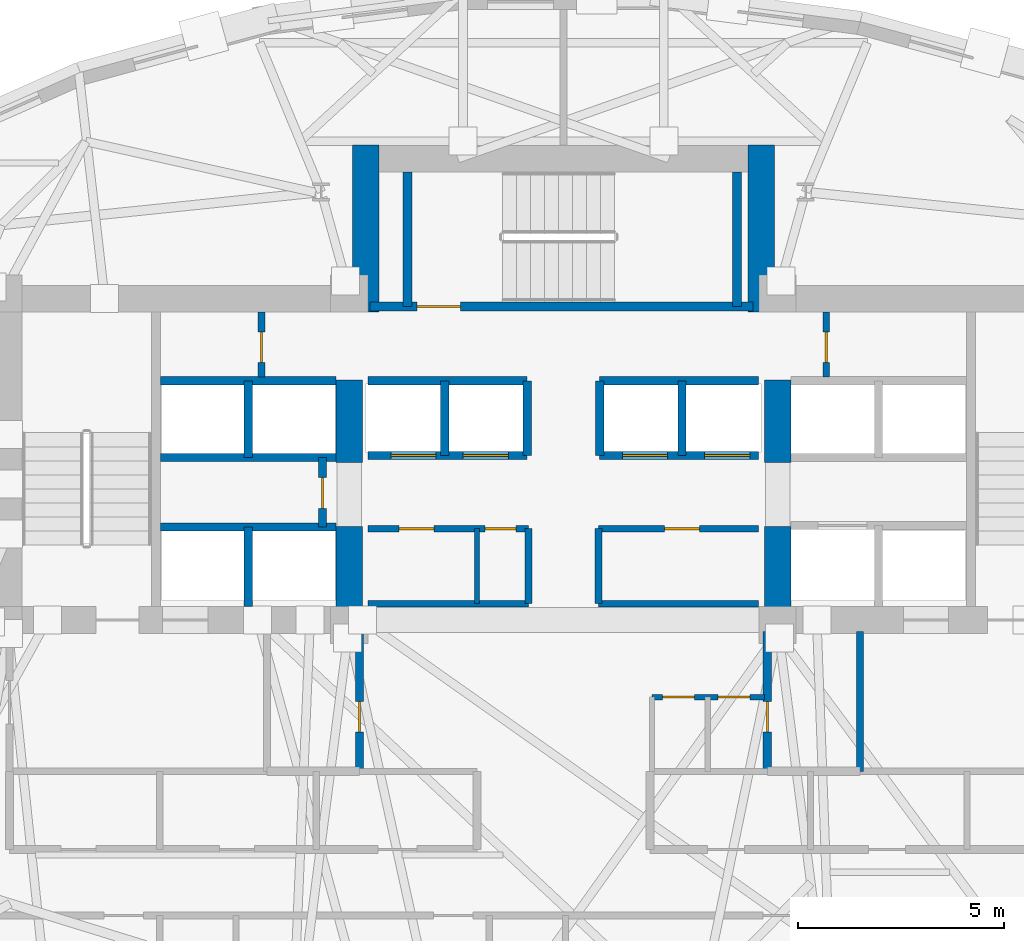
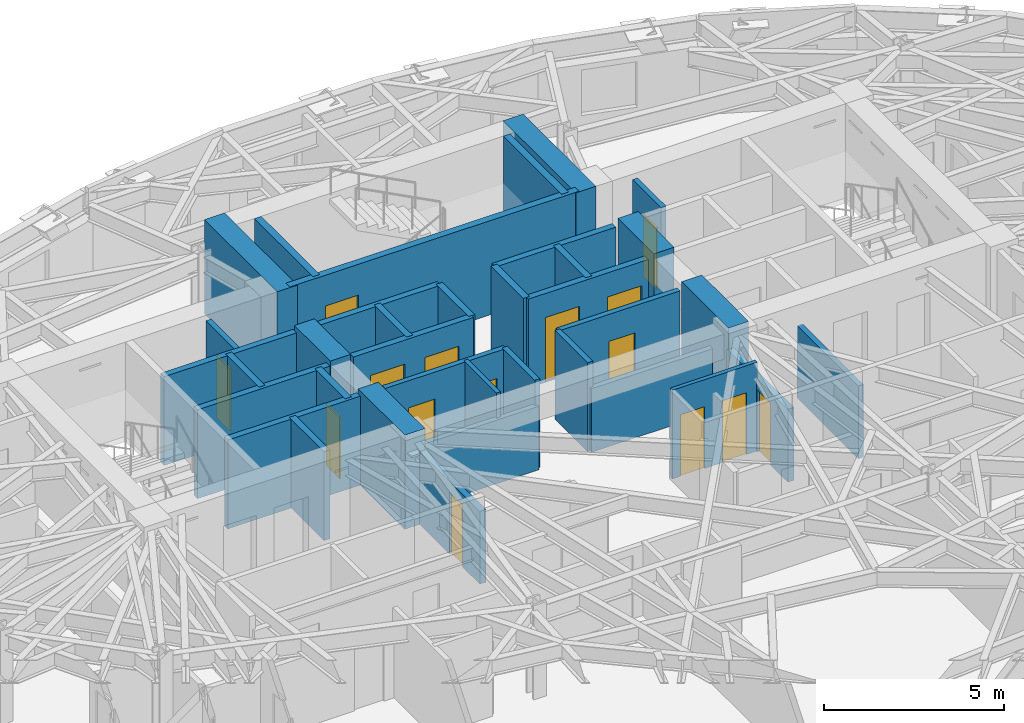
# One storey, part 8 of 15: 36 walls, 15 doors, 15 openings.
"""IFC4 building model written with IfcOpenShell, lengths in metres."""

from ifc_helpers import new_model, si_unit, direction, frame, frame_2d, origin, place, context, subcontext, project, spatial, rectangle, extrude, material, layer, layer_set, type_object, element, fill, save


model = new_model("IFC4")

# Units and contexts
model_context = context("Model", 3, precision=1e-05, world=origin(), true_north=direction((0.0, 1.0)))
body_context = subcontext(model_context, "Body", "Model", "MODEL_VIEW")
ifc_project = project(units=[si_unit("LENGTHUNIT", "METRE"), si_unit("AREAUNIT", "SQUARE_METRE"), si_unit("VOLUMEUNIT", "CUBIC_METRE"), si_unit("PLANEANGLEUNIT", "RADIAN"), si_unit("MASSUNIT", "GRAM", prefix="KILO")], contexts=[model_context])

# Site, building, storey
site_placement = place(None, origin())
site = spatial("IfcSite", under=ifc_project, at=site_placement, CompositionType="ELEMENT")
building_placement = place(site_placement, origin())
building = spatial("IfcBuilding", under=site, at=building_placement, Name="Keldmark Tower", CompositionType="ELEMENT")
storey_placement = place(building_placement, frame((0.0, 0.0, 166.199951171875)))
storey = spatial("IfcBuildingStorey", under=building, at=storey_placement, Name="L45", CompositionType="ELEMENT", Elevation=166.199951171875)

# Wall, openings, doors
ifc_material_1 = material(Name="Acoustic Gypsum Board Interior Partition", Category="gypsum")
ifc_layer_1 = layer(ifc_material_1, 0.1298828125)
ifc_layer_set_1 = layer_set([ifc_layer_1], Name="Acoustic Gypsum Board Interior Partition")
wall_type_1 = type_object("IfcWallType", Name="Interior Partition 130 mm", PredefinedType="PARTITIONING", material=ifc_layer_set_1)
wall_1_placement = place(storey_placement, frame((2.14990234375, -0.35009765625, 0.0), z_axis=(0.0, 0.0, 1.0), x_axis=(1.0, 0.0, 0.0)))
wall_1 = element("IfcWall", 1, at=wall_1_placement, inside=storey, type_object=wall_type_1, Name="L45 Interior Partition 130 mm CSC-E-N", PredefinedType="PARTITIONING", context=body_context, shape_type="SweptSolid", body=[
    extrude(rectangle(XDim=2.72998046875, YDim=0.1298828125, at=frame_2d((1.364990234375, 0.0))), origin(), (0.0, 0.0, 1.0), 3.02001953125),
])
opening_1_placement = place(wall_1_placement, frame((0.25, 0.0, 0.0)))
opening_1 = element("IfcOpeningElement", 2, at=opening_1_placement, cuts=wall_1, Name="Opening D-CL078", PredefinedType="OPENING", context=body_context, shape_type="SweptSolid", body=[
    extrude(rectangle(XDim=0.780029296875, YDim=2.10009765625, at=frame_2d((0.39013671875, 1.050048828125))), frame((0.0, 0.074951171875, 0.0), z_axis=(0.0, -1.0, 0.0), x_axis=(1.0, 0.0, 0.0)), (0.0, 0.0, 1.0), 0.14990234375),
])
opening_2_placement = place(wall_1_placement, frame((1.60009765625, 0.0, 0.0)))
opening_2 = element("IfcOpeningElement", 3, at=opening_2_placement, cuts=wall_1, Name="Opening D-CL078", PredefinedType="OPENING", context=body_context, shape_type="SweptSolid", body=[
    extrude(rectangle(XDim=0.780029296875, YDim=2.10009765625, at=frame_2d((0.39013671875, 1.050048828125))), frame((0.0, 0.074951171875, 0.0), z_axis=(0.0, -1.0, 0.0), x_axis=(1.0, 0.0, 0.0)), (0.0, 0.0, 1.0), 0.14990234375),
])
ifc_material_2 = material(Name="Flush Utility Closet Timber Door", Category="wood")
door_type_1 = type_object("IfcDoorType", Name="Closet Door 780x2100", OperationType="NOTDEFINED", PredefinedType="DOOR", material=ifc_material_2)
door_1_placement = place(opening_1_placement, origin())
door_1 = element("IfcDoor", 4, at=door_1_placement, inside=storey, type_object=door_type_1, Name="L45 Closet Door 780x2100 D-CSCE1-L45", OperationType="SINGLE_SWING_LEFT", OverallHeight=2.10009765625, OverallWidth=0.780029296875, PredefinedType="DOOR", context=body_context, shape_type="SweptSolid", body=[
    extrude(rectangle(XDim=0.780029296875, YDim=2.10009765625, at=frame_2d((0.39013671875, 1.050048828125))), frame((0.0, 0.02490234375, 0.0), z_axis=(0.0, -1.0, 0.0), x_axis=(1.0, 0.0, 0.0)), (0.0, 0.0, 1.0), 0.050048828125),
])
fill(opening_1, door_1)
door_2_placement = place(opening_2_placement, origin())
door_2 = element("IfcDoor", 5, at=door_2_placement, inside=storey, type_object=door_type_1, Name="L45 Closet Door 780x2100 D-CSCE2-L45", OperationType="SINGLE_SWING_RIGHT", OverallHeight=2.10009765625, OverallWidth=0.780029296875, PredefinedType="DOOR", context=body_context, shape_type="SweptSolid", body=[
    extrude(rectangle(XDim=0.780029296875, YDim=2.10009765625, at=frame_2d((0.39013671875, 1.050048828125))), frame((0.0, 0.02490234375, 0.0), z_axis=(0.0, -1.0, 0.0), x_axis=(1.0, 0.0, 0.0)), (0.0, 0.0, 1.0), 0.050048828125),
])
fill(opening_2, door_2)

# Walls
wall_2_placement = place(storey_placement, frame((-2.10009765625, 1.919921875, 0.0), z_axis=(0.0, 0.0, 1.0), x_axis=(0.0, 1.0, 0.0)))
element("IfcWall", 6, at=wall_2_placement, inside=storey, type_object=wall_type_1, Name="L45 Interior Partition 130 mm REC-LW-M", PredefinedType="PARTITIONING", context=body_context, shape_type="SweptSolid", body=[
    extrude(rectangle(XDim=1.820068359375, YDim=0.1298828125, at=frame_2d((0.91015625, 0.0))), origin(), (0.0, 0.0, 1.0), 3.02001953125),
])
ifc_material_3 = material(Name="Type X Fire-Rated Gypsum Partition Assembly", Category="gypsum")
ifc_layer_2 = layer(ifc_material_3, 0.1650390625)
ifc_layer_set_2 = layer_set([ifc_layer_2], Name="Type X Fire-Rated Gypsum Partition Assembly")
wall_type_2 = type_object("IfcWallType", Name="Rated Partition 165 mm", PredefinedType="PARTITIONING", material=ifc_layer_set_2)
wall_3_placement = place(storey_placement, frame((7.199951171875, -2.14990234375, 0.0), z_axis=(0.0, 0.0, 1.0), x_axis=(0.0, 1.0, 0.0)))
element("IfcWall", 7, at=wall_3_placement, inside=storey, type_object=wall_type_2, Name="L45 Rated Partition 165 mm FSAE-E-W", PredefinedType="PARTITIONING", context=body_context, shape_type="SweptSolid", body=[
    extrude(rectangle(XDim=3.39990234375, YDim=0.1650390625, at=frame_2d((1.699951171875, 0.0))), origin(), (0.0, 0.0, 1.0), 2.47314453125),
])
wall_4_placement = place(storey_placement, frame((-4.739990234375, 1.919921875, 0.0), z_axis=(0.0, 0.0, 1.0), x_axis=(1.0, 0.0, 0.0)))
element("IfcWall", 8, at=wall_4_placement, inside=storey, type_object=wall_type_2, Name="L45 Rated Partition 165 mm REC-LW-S", PredefinedType="PARTITIONING", context=body_context, shape_type="SweptSolid", body=[
    extrude(rectangle(XDim=3.889892578125, YDim=0.1650390625, at=frame_2d((1.94482421875, 0.0))), origin(), (0.0, 0.0, 1.0), 2.16015625),
])

# Wall, openings, doors
wall_5_placement = place(storey_placement, frame((-4.739990234375, 3.739990234375, 0.0), z_axis=(0.0, 0.0, 1.0), x_axis=(1.0, 0.0, 0.0)))
wall_5 = element("IfcWall", 9, at=wall_5_placement, inside=storey, type_object=wall_type_2, Name="L45 Rated Partition 165 mm REC-LW-N", PredefinedType="PARTITIONING", context=body_context, shape_type="SweptSolid", body=[
    extrude(rectangle(XDim=3.889892578125, YDim=0.1650390625, at=frame_2d((1.94482421875, 0.0))), origin(), (0.0, 0.0, 1.0), 3.02001953125),
])
opening_3_placement = place(wall_5_placement, frame((0.75, 0.0, 0.0)))
opening_3 = element("IfcOpeningElement", 10, at=opening_3_placement, cuts=wall_5, Name="Opening D-SV085", PredefinedType="OPENING", context=body_context, shape_type="SweptSolid", body=[
    extrude(rectangle(XDim=0.85009765625, YDim=2.10009765625, at=frame_2d((0.425048828125, 1.050048828125))), frame((0.0, 0.092529296875, 0.0), z_axis=(0.0, -1.0, 0.0), x_axis=(1.0, 0.0, 0.0)), (0.0, 0.0, 1.0), 0.18505859375),
])
opening_4_placement = place(wall_5_placement, frame((2.840087890625, 0.0, 0.0)))
opening_4 = element("IfcOpeningElement", 11, at=opening_4_placement, cuts=wall_5, Name="Opening D-RS075", PredefinedType="OPENING", context=body_context, shape_type="SweptSolid", body=[
    extrude(rectangle(XDim=0.75, YDim=2.10009765625, at=frame_2d((0.375, 1.050048828125))), frame((0.0, 0.092529296875, 0.0), z_axis=(0.0, -1.0, 0.0), x_axis=(1.0, 0.0, 0.0)), (0.0, 0.0, 1.0), 0.18505859375),
])
ifc_material_4 = material(Name="Galvanized Fire-Rated Access Leaf", Category="metal")
door_type_2 = type_object("IfcDoorType", Name="Riser Access Door 750x2100", OperationType="NOTDEFINED", PredefinedType="DOOR", material=ifc_material_4)
door_3_placement = place(opening_4_placement, origin())
door_3 = element("IfcDoor", 12, at=door_3_placement, inside=storey, type_object=door_type_2, Name="L45 Riser Access Door 750x2100 D-RECLW2-L45", OperationType="SINGLE_SWING_RIGHT", OverallHeight=2.10009765625, OverallWidth=0.75, PredefinedType="DOOR", context=body_context, shape_type="SweptSolid", body=[
    extrude(rectangle(XDim=0.75, YDim=2.10009765625, at=frame_2d((0.375, 1.050048828125))), frame((0.0, 0.02490234375, 0.0), z_axis=(0.0, -1.0, 0.0), x_axis=(1.0, 0.0, 0.0)), (0.0, 0.0, 1.0), 0.050048828125),
])
fill(opening_4, door_3)
ifc_material_5 = material(Name="Painted Hollow Metal Door Assembly", Category="metal")
door_type_3 = type_object("IfcDoorType", Name="Service Door 850x2100", OperationType="NOTDEFINED", PredefinedType="DOOR", material=ifc_material_5)
door_4_placement = place(opening_3_placement, origin())
door_4 = element("IfcDoor", 13, at=door_4_placement, inside=storey, type_object=door_type_3, Name="L45 Service Door 850x2100 D-RECLW1-L45", OperationType="SINGLE_SWING_LEFT", OverallHeight=2.10009765625, OverallWidth=0.85009765625, PredefinedType="DOOR", context=body_context, shape_type="SweptSolid", body=[
    extrude(rectangle(XDim=0.85009765625, YDim=2.10009765625, at=frame_2d((0.425048828125, 1.050048828125))), frame((0.0, 0.02490234375, 0.0), z_axis=(0.0, -1.0, 0.0), x_axis=(1.0, 0.0, 0.0)), (0.0, 0.0, 1.0), 0.050048828125),
])
fill(opening_3, door_4)

# Walls
wall_6_placement = place(storey_placement, frame((-0.85009765625, 1.919921875, 0.0), z_axis=(0.0, 0.0, 1.0), x_axis=(0.0, 1.0, 0.0)))
element("IfcWall", 14, at=wall_6_placement, inside=storey, type_object=wall_type_2, Name="L45 Rated Partition 165 mm REC-LW-E", PredefinedType="PARTITIONING", context=body_context, shape_type="SweptSolid", body=[
    extrude(rectangle(XDim=1.820068359375, YDim=0.1650390625, at=frame_2d((0.91015625, 0.0))), origin(), (0.0, 0.0, 1.0), 3.02001953125),
])
wall_7_placement = place(storey_placement, frame((0.85009765625, 1.919921875, 0.0), z_axis=(0.0, 0.0, 1.0), x_axis=(1.0, 0.0, 0.0)))
element("IfcWall", 15, at=wall_7_placement, inside=storey, type_object=wall_type_2, Name="L45 Rated Partition 165 mm REC-LE-S", PredefinedType="PARTITIONING", context=body_context, shape_type="SweptSolid", body=[
    extrude(rectangle(XDim=3.889892578125, YDim=0.1650390625, at=frame_2d((1.94482421875, 0.0))), origin(), (0.0, 0.0, 1.0), 2.16015625),
])

# Wall, opening, door
wall_8_placement = place(storey_placement, frame((0.85009765625, 3.739990234375, 0.0), z_axis=(0.0, 0.0, 1.0), x_axis=(1.0, 0.0, 0.0)))
wall_8 = element("IfcWall", 16, at=wall_8_placement, inside=storey, type_object=wall_type_2, Name="L45 Rated Partition 165 mm REC-LE-N", PredefinedType="PARTITIONING", context=body_context, shape_type="SweptSolid", body=[
    extrude(rectangle(XDim=3.889892578125, YDim=0.1650390625, at=frame_2d((1.94482421875, 0.0))), origin(), (0.0, 0.0, 1.0), 3.02001953125),
])
opening_5_placement = place(wall_8_placement, frame((1.60009765625, 0.0, 0.0)))
opening_5 = element("IfcOpeningElement", 17, at=opening_5_placement, cuts=wall_8, Name="Opening D-SV085", PredefinedType="OPENING", context=body_context, shape_type="SweptSolid", body=[
    extrude(rectangle(XDim=0.85009765625, YDim=2.10009765625, at=frame_2d((0.425048828125, 1.050048828125))), frame((0.0, 0.092529296875, 0.0), z_axis=(0.0, -1.0, 0.0), x_axis=(1.0, 0.0, 0.0)), (0.0, 0.0, 1.0), 0.18505859375),
])
door_5_placement = place(opening_5_placement, origin())
door_5 = element("IfcDoor", 18, at=door_5_placement, inside=storey, type_object=door_type_3, Name="L45 Service Door 850x2100 D-RECLE1-L45", OperationType="SINGLE_SWING_LEFT", OverallHeight=2.10009765625, OverallWidth=0.85009765625, PredefinedType="DOOR", context=body_context, shape_type="SweptSolid", body=[
    extrude(rectangle(XDim=0.85009765625, YDim=2.10009765625, at=frame_2d((0.425048828125, 1.050048828125))), frame((0.0, 0.02490234375, 0.0), z_axis=(0.0, -1.0, 0.0), x_axis=(1.0, 0.0, 0.0)), (0.0, 0.0, 1.0), 0.050048828125),
])
fill(opening_5, door_5)

# Wall
wall_9_placement = place(storey_placement, frame((0.85009765625, 1.919921875, 0.0), z_axis=(0.0, 0.0, 1.0), x_axis=(0.0, 1.0, 0.0)))
element("IfcWall", 19, at=wall_9_placement, inside=storey, type_object=wall_type_2, Name="L45 Rated Partition 165 mm REC-LE-W", PredefinedType="PARTITIONING", context=body_context, shape_type="SweptSolid", body=[
    extrude(rectangle(XDim=1.820068359375, YDim=0.1650390625, at=frame_2d((0.91015625, 0.0))), origin(), (0.0, 0.0, 1.0), 3.02001953125),
])

# Wall, opening, door
wall_10_placement = place(storey_placement, frame((-7.330078125, 7.419921875, 0.0), z_axis=(0.0, 0.0, 1.0), x_axis=(0.0, 1.0, 0.0)))
wall_10 = element("IfcWall", 20, at=wall_10_placement, inside=storey, type_object=wall_type_2, Name="L45 Rated Partition 165 mm CS-NW-E", PredefinedType="PARTITIONING", context=body_context, shape_type="SweptSolid", body=[
    extrude(rectangle(XDim=1.580078125, YDim=0.1650390625, at=frame_2d((0.7900390625, 0.0))), origin(), (0.0, 0.0, 1.0), 3.02001953125),
])
opening_6_placement = place(wall_10_placement, frame((0.35009765625, 0.0, 0.0)))
opening_6 = element("IfcOpeningElement", 21, at=opening_6_placement, cuts=wall_10, Name="Opening D-RS075", PredefinedType="OPENING", context=body_context, shape_type="SweptSolid", body=[
    extrude(rectangle(XDim=0.75, YDim=2.10009765625, at=frame_2d((0.375, 1.050048828125))), frame((0.0, 0.092529296875, 0.0), z_axis=(0.0, -1.0, 0.0), x_axis=(1.0, 0.0, 0.0)), (0.0, 0.0, 1.0), 0.18505859375),
])
door_6_placement = place(opening_6_placement, origin())
door_6 = element("IfcDoor", 22, at=door_6_placement, inside=storey, type_object=door_type_2, Name="L45 Riser Access Door 750x2100 D-CSNW1-L45", OperationType="SINGLE_SWING_RIGHT", OverallHeight=2.10009765625, OverallWidth=0.75, PredefinedType="DOOR", context=body_context, shape_type="SweptSolid", body=[
    extrude(rectangle(XDim=0.75, YDim=2.10009765625, at=frame_2d((0.375, 1.050048828125))), frame((0.0, 0.02490234375, 0.0), z_axis=(0.0, -1.0, 0.0), x_axis=(1.0, 0.0, 0.0)), (0.0, 0.0, 1.0), 0.050048828125),
])
fill(opening_6, door_6)

wall_11_placement = place(storey_placement, frame((6.3798828125, 7.419921875, 0.0), z_axis=(0.0, 0.0, 1.0), x_axis=(0.0, 1.0, 0.0)))
wall_11 = element("IfcWall", 23, at=wall_11_placement, inside=storey, type_object=wall_type_2, Name="L45 Rated Partition 165 mm CS-NE-W", PredefinedType="PARTITIONING", context=body_context, shape_type="SweptSolid", body=[
    extrude(rectangle(XDim=1.580078125, YDim=0.1650390625, at=frame_2d((0.7900390625, 0.0))), origin(), (0.0, 0.0, 1.0), 3.02001953125),
])
opening_7_placement = place(wall_11_placement, frame((0.35009765625, 0.0, 0.0)))
opening_7 = element("IfcOpeningElement", 24, at=opening_7_placement, cuts=wall_11, Name="Opening D-RS075", PredefinedType="OPENING", context=body_context, shape_type="SweptSolid", body=[
    extrude(rectangle(XDim=0.75, YDim=2.10009765625, at=frame_2d((0.375, 1.050048828125))), frame((0.0, 0.092529296875, 0.0), z_axis=(0.0, -1.0, 0.0), x_axis=(1.0, 0.0, 0.0)), (0.0, 0.0, 1.0), 0.18505859375),
])
door_7_placement = place(opening_7_placement, origin())
door_7 = element("IfcDoor", 25, at=door_7_placement, inside=storey, type_object=door_type_2, Name="L45 Riser Access Door 750x2100 D-CSNE1-L45", OperationType="SINGLE_SWING_LEFT", OverallHeight=2.10009765625, OverallWidth=0.75, PredefinedType="DOOR", context=body_context, shape_type="SweptSolid", body=[
    extrude(rectangle(XDim=0.75, YDim=2.10009765625, at=frame_2d((0.375, 1.050048828125))), frame((0.0, 0.02490234375, 0.0), z_axis=(0.0, -1.0, 0.0), x_axis=(1.0, 0.0, 0.0)), (0.0, 0.0, 1.0), 0.050048828125),
])
fill(opening_7, door_7)

ifc_material_6 = material(Name="Fire-Resistant Type X Gypsum Shaftliner Coreboard", Category="gypsum")
ifc_layer_3 = layer(ifc_material_6, 0.199951171875)
ifc_layer_set_3 = layer_set([ifc_layer_3], Name="Fire-Resistant Type X Gypsum Shaftliner Coreboard")
wall_type_3 = type_object("IfcWallType", Name="Shaft Wall 200 mm", PredefinedType="SOLIDWALL", material=ifc_layer_set_3)
wall_12_placement = place(storey_placement, frame((-4.949951171875, -2.14990234375, 0.0), z_axis=(0.0, 0.0, 1.0), x_axis=(0.0, 1.0, 0.0)))
wall_12 = element("IfcWall", 26, at=wall_12_placement, inside=storey, type_object=wall_type_3, Name="L45 Shaft Wall 200 mm RIS-SW-E", PredefinedType="SOLIDWALL", context=body_context, shape_type="SweptSolid", body=[
    extrude(rectangle(XDim=3.39990234375, YDim=0.199951171875, at=frame_2d((1.699951171875, 0.0))), origin(), (0.0, 0.0, 1.0), 2.47314453125),
])
opening_8_placement = place(wall_12_placement, frame((0.949951171875, 0.0, 0.0)))
opening_8 = element("IfcOpeningElement", 27, at=opening_8_placement, cuts=wall_12, Name="Opening D-RS075", PredefinedType="OPENING", context=body_context, shape_type="SweptSolid", body=[
    extrude(rectangle(XDim=0.75, YDim=2.10009765625, at=frame_2d((0.375, 1.050048828125))), frame((0.0, 0.10986328125, 0.0), z_axis=(0.0, -1.0, 0.0), x_axis=(1.0, 0.0, 0.0)), (0.0, 0.0, 1.0), 0.219970703125),
])
door_8_placement = place(opening_8_placement, origin())
door_8 = element("IfcDoor", 28, at=door_8_placement, inside=storey, type_object=door_type_2, Name="L45 Riser Access Door 750x2100 D-RISSW-L45", OperationType="SINGLE_SWING_RIGHT", OverallHeight=2.10009765625, OverallWidth=0.75, PredefinedType="DOOR", context=body_context, shape_type="SweptSolid", body=[
    extrude(rectangle(XDim=0.75, YDim=2.10009765625, at=frame_2d((0.375, 1.050048828125))), frame((0.0, 0.02490234375, 0.0), z_axis=(0.0, -1.0, 0.0), x_axis=(1.0, 0.0, 0.0)), (0.0, 0.0, 1.0), 0.050048828125),
])
fill(opening_8, door_8)

wall_13_placement = place(storey_placement, frame((4.949951171875, -2.14990234375, 0.0), z_axis=(0.0, 0.0, 1.0), x_axis=(0.0, 1.0, 0.0)))
wall_13 = element("IfcWall", 29, at=wall_13_placement, inside=storey, type_object=wall_type_3, Name="L45 Shaft Wall 200 mm RIS-SE-W", PredefinedType="SOLIDWALL", context=body_context, shape_type="SweptSolid", body=[
    extrude(rectangle(XDim=3.39990234375, YDim=0.199951171875, at=frame_2d((1.699951171875, 0.0))), origin(), (0.0, 0.0, 1.0), 2.47314453125),
])
opening_9_placement = place(wall_13_placement, frame((0.949951171875, 0.0, 0.0)))
opening_9 = element("IfcOpeningElement", 30, at=opening_9_placement, cuts=wall_13, Name="Opening D-RS075", PredefinedType="OPENING", context=body_context, shape_type="SweptSolid", body=[
    extrude(rectangle(XDim=0.75, YDim=2.10009765625, at=frame_2d((0.375, 1.050048828125))), frame((0.0, 0.10986328125, 0.0), z_axis=(0.0, -1.0, 0.0), x_axis=(1.0, 0.0, 0.0)), (0.0, 0.0, 1.0), 0.219970703125),
])
door_9_placement = place(opening_9_placement, origin())
door_9 = element("IfcDoor", 31, at=door_9_placement, inside=storey, type_object=door_type_2, Name="L45 Riser Access Door 750x2100 D-RISSE-L45", OperationType="SINGLE_SWING_RIGHT", OverallHeight=2.10009765625, OverallWidth=0.75, PredefinedType="DOOR", context=body_context, shape_type="SweptSolid", body=[
    extrude(rectangle(XDim=0.75, YDim=2.10009765625, at=frame_2d((0.375, 1.050048828125))), frame((0.0, 0.02490234375, 0.0), z_axis=(0.0, -1.0, 0.0), x_axis=(1.0, 0.0, 0.0)), (0.0, 0.0, 1.0), 0.050048828125),
])
fill(opening_9, door_9)

# Walls
wall_14_placement = place(storey_placement, frame((-9.780029296875, 3.780029296875, 0.0), z_axis=(0.0, 0.0, 1.0), x_axis=(1.0, 0.0, 0.0)))
element("IfcWall", 32, at=wall_14_placement, inside=storey, type_object=wall_type_3, Name="L45 Shaft Wall 200 mm HW-W-S", PredefinedType="SOLIDWALL", context=body_context, shape_type="SweptSolid", body=[
    extrude(rectangle(XDim=4.255126953125, YDim=0.199951171875, at=frame_2d((2.12744140625, 0.0))), origin(), (0.0, 0.0, 1.0), 3.02001953125),
])
wall_15_placement = place(storey_placement, frame((-7.64990234375, 1.85009765625, 0.0), z_axis=(0.0, 0.0, 1.0), x_axis=(0.0, 1.0, 0.0)))
element("IfcWall", 33, at=wall_15_placement, inside=storey, type_object=wall_type_3, Name="L45 Shaft Wall 200 mm HW-W-M", PredefinedType="SOLIDWALL", context=body_context, shape_type="SweptSolid", body=[
    extrude(rectangle(XDim=1.929931640625, YDim=0.199951171875, at=frame_2d((0.96484375, 0.0))), origin(), (0.0, 0.0, 1.0), 3.02001953125),
])
for number, where, z_axis, x_axis, name in (
    (34, (-9.780029296875, 5.469970703125, 0.0), (0.0, 0.0, 1.0), (1.0, 0.0, 0.0), "L45 Shaft Wall 200 mm HW-W-N"),
    (35, (-9.780029296875, 7.330078125, 0.0), (0.0, 0.0, 1.0), (1.0, 0.0, 0.0), "L45 Shaft Wall 200 mm HW-W-TOP"),
):
    element("IfcWall", number, at=place(storey_placement, frame(where, z_axis=z_axis, x_axis=x_axis)), inside=storey, type_object=wall_type_3, Name=name, PredefinedType="SOLIDWALL", context=body_context, shape_type="SweptSolid", body=[
        extrude(rectangle(XDim=4.255126953125, YDim=0.199951171875, at=frame_2d((2.12744140625, 0.0))), origin(), (0.0, 0.0, 1.0), 3.02001953125),
    ])
wall_16_placement = place(storey_placement, frame((-7.64990234375, 5.469970703125, 0.0), z_axis=(0.0, 0.0, 1.0), x_axis=(0.0, 1.0, 0.0)))
element("IfcWall", 36, at=wall_16_placement, inside=storey, type_object=wall_type_3, Name="L45 Shaft Wall 200 mm HW-W-NM", PredefinedType="SOLIDWALL", context=body_context, shape_type="SweptSolid", body=[
    extrude(rectangle(XDim=1.860107421875, YDim=0.199951171875, at=frame_2d((0.93017578125, 0.0))), origin(), (0.0, 0.0, 1.0), 3.02001953125),
])

# Wall, opening, door
wall_17_placement = place(storey_placement, frame((-5.85009765625, 3.780029296875, 0.0), z_axis=(0.0, 0.0, 1.0), x_axis=(0.0, 1.0, 0.0)))
wall_17 = element("IfcWall", 37, at=wall_17_placement, inside=storey, type_object=wall_type_3, Name="L45 Shaft Wall 200 mm HW-W-CLOSE", PredefinedType="SOLIDWALL", context=body_context, shape_type="SweptSolid", body=[
    extrude(rectangle(XDim=1.68994140625, YDim=0.199951171875, at=frame_2d((0.844970703125, 0.0))), origin(), (0.0, 0.0, 1.0), 3.02001953125),
])
opening_10_placement = place(wall_17_placement, frame((0.449951171875, 0.0, 0.0)))
opening_10 = element("IfcOpeningElement", 38, at=opening_10_placement, cuts=wall_17, Name="Opening D-RS075", PredefinedType="OPENING", context=body_context, shape_type="SweptSolid", body=[
    extrude(rectangle(XDim=0.75, YDim=2.10009765625, at=frame_2d((0.375, 1.050048828125))), frame((0.0, 0.10986328125, 0.0), z_axis=(0.0, -1.0, 0.0), x_axis=(1.0, 0.0, 0.0)), (0.0, 0.0, 1.0), 0.219970703125),
])
door_10_placement = place(opening_10_placement, origin())
door_10 = element("IfcDoor", 39, at=door_10_placement, inside=storey, type_object=door_type_2, Name="L45 Riser Access Door 750x2100 D-RISHW-L45", OperationType="SINGLE_SWING_RIGHT", OverallHeight=2.10009765625, OverallWidth=0.75, PredefinedType="DOOR", context=body_context, shape_type="SweptSolid", body=[
    extrude(rectangle(XDim=0.75, YDim=2.10009765625, at=frame_2d((0.375, 1.050048828125))), frame((0.0, 0.02490234375, 0.0), z_axis=(0.0, -1.0, 0.0), x_axis=(1.0, 0.0, 0.0)), (0.0, 0.0, 1.0), 0.050048828125),
])
fill(opening_10, door_10)

# Wall, openings, doors
wall_18_placement = place(storey_placement, frame((-4.739990234375, 5.52001953125, 0.0), z_axis=(0.0, 0.0, 1.0), x_axis=(1.0, 0.0, 0.0)))
wall_18 = element("IfcWall", 40, at=wall_18_placement, inside=storey, type_object=wall_type_3, Name="L45 Shaft Wall 200 mm MID-S-W", PredefinedType="SOLIDWALL", context=body_context, shape_type="SweptSolid", body=[
    extrude(rectangle(XDim=3.860107421875, YDim=0.199951171875, at=frame_2d((1.93017578125, 0.0))), origin(), (0.0, 0.0, 1.0), 3.02001953125),
])
opening_11_placement = place(wall_18_placement, frame((0.550048828125, 0.0, 0.0)))
opening_11 = element("IfcOpeningElement", 41, at=opening_11_placement, cuts=wall_18, Name="Opening LD-110", PredefinedType="OPENING", context=body_context, shape_type="SweptSolid", body=[
    extrude(rectangle(XDim=1.10009765625, YDim=2.199951171875, at=frame_2d((0.550048828125, 1.10009765625))), frame((0.0, 0.10986328125, 0.0), z_axis=(0.0, -1.0, 0.0), x_axis=(1.0, 0.0, 0.0)), (0.0, 0.0, 1.0), 0.219970703125),
])
opening_12_placement = place(wall_18_placement, frame((2.300048828125, 0.0, 0.0)))
opening_12 = element("IfcOpeningElement", 42, at=opening_12_placement, cuts=wall_18, Name="Opening LD-110", PredefinedType="OPENING", context=body_context, shape_type="SweptSolid", body=[
    extrude(rectangle(XDim=1.10009765625, YDim=2.199951171875, at=frame_2d((0.550048828125, 1.10009765625))), frame((0.0, 0.10986328125, 0.0), z_axis=(0.0, -1.0, 0.0), x_axis=(1.0, 0.0, 0.0)), (0.0, 0.0, 1.0), 0.219970703125),
])
ifc_material_7 = material(Name="Brushed Bronze Hoistway Sliding Leaf", Category="metal")
door_type_4 = type_object("IfcDoorType", Name="Lift Landing Sliding Door 1100x2200", OperationType="SLIDING_TO_LEFT", PredefinedType="DOOR", material=ifc_material_7)
door_11_placement = place(opening_11_placement, origin())
door_11 = element("IfcDoor", 43, at=door_11_placement, inside=storey, type_object=door_type_4, Name="L45 Lift Landing Sliding Door 1100x2200 LD-EL-M1-L45", OperationType="SLIDING_TO_LEFT", OverallHeight=2.199951171875, OverallWidth=1.10009765625, PredefinedType="DOOR", context=body_context, shape_type="SweptSolid", body=[
    extrude(rectangle(XDim=1.10009765625, YDim=2.199951171875, at=frame_2d((0.550048828125, 1.10009765625))), frame((0.0, 0.02490234375, 0.0), z_axis=(0.0, -1.0, 0.0), x_axis=(1.0, 0.0, 0.0)), (0.0, 0.0, 1.0), 0.050048828125),
])
fill(opening_11, door_11)
door_12_placement = place(opening_12_placement, origin())
door_12 = element("IfcDoor", 44, at=door_12_placement, inside=storey, type_object=door_type_4, Name="L45 Lift Landing Sliding Door 1100x2200 LD-EL-M2-L45", OperationType="SLIDING_TO_LEFT", OverallHeight=2.199951171875, OverallWidth=1.10009765625, PredefinedType="DOOR", context=body_context, shape_type="SweptSolid", body=[
    extrude(rectangle(XDim=1.10009765625, YDim=2.199951171875, at=frame_2d((0.550048828125, 1.10009765625))), frame((0.0, 0.02490234375, 0.0), z_axis=(0.0, -1.0, 0.0), x_axis=(1.0, 0.0, 0.0)), (0.0, 0.0, 1.0), 0.050048828125),
])
fill(opening_12, door_12)

wall_19_placement = place(storey_placement, frame((0.8798828125, 5.52001953125, 0.0), z_axis=(0.0, 0.0, 1.0), x_axis=(1.0, 0.0, 0.0)))
wall_19 = element("IfcWall", 45, at=wall_19_placement, inside=storey, type_object=wall_type_3, Name="L45 Shaft Wall 200 mm MID-S-E", PredefinedType="SOLIDWALL", context=body_context, shape_type="SweptSolid", body=[
    extrude(rectangle(XDim=3.860107421875, YDim=0.199951171875, at=frame_2d((1.93017578125, 0.0))), origin(), (0.0, 0.0, 1.0), 3.02001953125),
])
opening_13_placement = place(wall_19_placement, frame((0.550048828125, 0.0, 0.0)))
opening_13 = element("IfcOpeningElement", 46, at=opening_13_placement, cuts=wall_19, Name="Opening LD-110", PredefinedType="OPENING", context=body_context, shape_type="SweptSolid", body=[
    extrude(rectangle(XDim=1.10009765625, YDim=2.199951171875, at=frame_2d((0.550048828125, 1.10009765625))), frame((0.0, 0.10986328125, 0.0), z_axis=(0.0, -1.0, 0.0), x_axis=(1.0, 0.0, 0.0)), (0.0, 0.0, 1.0), 0.219970703125),
])
opening_14_placement = place(wall_19_placement, frame((2.550048828125, 0.0, 0.0)))
opening_14 = element("IfcOpeningElement", 47, at=opening_14_placement, cuts=wall_19, Name="Opening LD-110", PredefinedType="OPENING", context=body_context, shape_type="SweptSolid", body=[
    extrude(rectangle(XDim=1.10009765625, YDim=2.199951171875, at=frame_2d((0.550048828125, 1.10009765625))), frame((0.0, 0.10986328125, 0.0), z_axis=(0.0, -1.0, 0.0), x_axis=(1.0, 0.0, 0.0)), (0.0, 0.0, 1.0), 0.219970703125),
])
door_13_placement = place(opening_13_placement, origin())
door_13 = element("IfcDoor", 48, at=door_13_placement, inside=storey, type_object=door_type_4, Name="L45 Lift Landing Sliding Door 1100x2200 LD-EL-M3-L45", OperationType="SLIDING_TO_LEFT", OverallHeight=2.199951171875, OverallWidth=1.10009765625, PredefinedType="DOOR", context=body_context, shape_type="SweptSolid", body=[
    extrude(rectangle(XDim=1.10009765625, YDim=2.199951171875, at=frame_2d((0.550048828125, 1.10009765625))), frame((0.0, 0.02490234375, 0.0), z_axis=(0.0, -1.0, 0.0), x_axis=(1.0, 0.0, 0.0)), (0.0, 0.0, 1.0), 0.050048828125),
])
fill(opening_13, door_13)
door_14_placement = place(opening_14_placement, origin())
door_14 = element("IfcDoor", 49, at=door_14_placement, inside=storey, type_object=door_type_4, Name="L45 Lift Landing Sliding Door 1100x2200 LD-EL-M4-L45", OperationType="SLIDING_TO_LEFT", OverallHeight=2.199951171875, OverallWidth=1.10009765625, PredefinedType="DOOR", context=body_context, shape_type="SweptSolid", body=[
    extrude(rectangle(XDim=1.10009765625, YDim=2.199951171875, at=frame_2d((0.550048828125, 1.10009765625))), frame((0.0, 0.02490234375, 0.0), z_axis=(0.0, -1.0, 0.0), x_axis=(1.0, 0.0, 0.0)), (0.0, 0.0, 1.0), 0.050048828125),
])
fill(opening_14, door_14)

# Walls
for number, where, z_axis, x_axis, name in (
    (50, (-4.739990234375, 7.330078125, 0.0), (0.0, 0.0, 1.0), (1.0, 0.0, 0.0), "L45 Shaft Wall 200 mm MID-N-W"),
    (51, (0.8798828125, 7.330078125, 0.0), (0.0, 0.0, 1.0), (1.0, 0.0, 0.0), "L45 Shaft Wall 200 mm MID-N-E"),
):
    element("IfcWall", number, at=place(storey_placement, frame(where, z_axis=z_axis, x_axis=x_axis)), inside=storey, type_object=wall_type_3, Name=name, PredefinedType="SOLIDWALL", context=body_context, shape_type="SweptSolid", body=[
        extrude(rectangle(XDim=3.860107421875, YDim=0.199951171875, at=frame_2d((1.93017578125, 0.0))), origin(), (0.0, 0.0, 1.0), 3.02001953125),
    ])
for number, where, z_axis, x_axis, name in (
    (52, (-2.8798828125, 5.52001953125, 0.0), (0.0, 0.0, 1.0), (0.0, 1.0, 0.0), "L45 Shaft Wall 200 mm MID-M-W"),
    (53, (2.8798828125, 5.52001953125, 0.0), (0.0, 0.0, 1.0), (0.0, 1.0, 0.0), "L45 Shaft Wall 200 mm MID-M-E"),
    (54, (-0.8798828125, 5.52001953125, 0.0), (0.0, 0.0, 1.0), (0.0, 1.0, 0.0), "L45 Shaft Wall 200 mm MID-C-W"),
    (55, (0.8798828125, 5.52001953125, 0.0), (0.0, 0.0, 1.0), (0.0, 1.0, 0.0), "L45 Shaft Wall 200 mm MID-C-E"),
):
    element("IfcWall", number, at=place(storey_placement, frame(where, z_axis=z_axis, x_axis=x_axis)), inside=storey, type_object=wall_type_3, Name=name, PredefinedType="SOLIDWALL", context=body_context, shape_type="SweptSolid", body=[
        extrude(rectangle(XDim=1.81005859375, YDim=0.199951171875, at=frame_2d((0.905029296875, 0.0))), origin(), (0.0, 0.0, 1.0), 3.02001953125),
    ])

# Wall, opening, door
ifc_material_8 = material(Name="Concrete C50/60", Category="concrete")
ifc_layer_4 = layer(ifc_material_8, 0.219970703125)
ifc_layer_set_4 = layer_set([ifc_layer_4], Name="Concrete C50/60")
wall_type_4 = type_object("IfcWallType", Name="Stair Core Shear Wall 220 mm", PredefinedType="SHEAR", material=ifc_layer_set_4)
wall_20_placement = place(storey_placement, frame((-4.699951171875, 9.139892578125, 0.0), z_axis=(0.0, 0.0, 1.0), x_axis=(1.0, 0.0, 0.0)))
wall_20 = element("IfcWall", 56, at=wall_20_placement, inside=storey, type_object=wall_type_4, Name="L45 Central Stair Core South Shear Wall", PredefinedType="SHEAR", context=body_context, shape_type="SweptSolid", body=[
    extrude(rectangle(XDim=9.300048828125, YDim=0.219970703125, at=frame_2d((4.64990234375, 0.0))), origin(), (0.0, 0.0, 1.0), 3.199951171875),
])
opening_15_placement = place(wall_20_placement, frame((1.14990234375, 0.0, 0.0)))
opening_15 = element("IfcOpeningElement", 57, at=opening_15_placement, cuts=wall_20, Name="Opening D-ST105", PredefinedType="OPENING", context=body_context, shape_type="SweptSolid", body=[
    extrude(rectangle(XDim=1.050048828125, YDim=2.14990234375, at=frame_2d((0.52490234375, 1.074951171875))), frame((0.0, 0.119873046875, 0.0), z_axis=(0.0, -1.0, 0.0), x_axis=(1.0, 0.0, 0.0)), (0.0, 0.0, 1.0), 0.239990234375),
])
ifc_material_9 = material(Name="Hollow Metal Fire-Rated Door Assembly", Category="metal")
door_type_5 = type_object("IfcDoorType", Name="Stair Fire Door 1050x2150", OperationType="NOTDEFINED", PredefinedType="DOOR", material=ifc_material_9)
door_15_placement = place(opening_15_placement, origin())
door_15 = element("IfcDoor", 58, at=door_15_placement, inside=storey, type_object=door_type_5, Name="L45 Stair Fire Door 1050x2150 D-ST3-L45", OperationType="SINGLE_SWING_RIGHT", OverallHeight=2.14990234375, OverallWidth=1.050048828125, PredefinedType="DOOR", context=body_context, shape_type="SweptSolid", body=[
    extrude(rectangle(XDim=1.050048828125, YDim=2.14990234375, at=frame_2d((0.52490234375, 1.074951171875))), frame((0.0, 0.02490234375, 0.0), z_axis=(0.0, -1.0, 0.0), x_axis=(1.0, 0.0, 0.0)), (0.0, 0.0, 1.0), 0.050048828125),
])
fill(opening_15, door_15)

# Walls
for number, where, z_axis, x_axis, name in (
    (59, (-3.784912109375, 9.139892578125, 0.0), (0.0, 0.0, 1.0), (0.0, 1.0, 0.0), "L45 Central Stair Core West Shear Wall"),
    (60, (4.215087890625, 9.139892578125, 0.0), (0.0, 0.0, 1.0), (0.0, 1.0, 0.0), "L45 Central Stair Core East Shear Wall"),
):
    element("IfcWall", number, at=place(storey_placement, frame(where, z_axis=z_axis, x_axis=x_axis)), inside=storey, type_object=wall_type_4, Name=name, PredefinedType="SHEAR", context=body_context, shape_type="SweptSolid", body=[
        extrude(rectangle(XDim=3.260009765625, YDim=0.219970703125, at=frame_2d((1.6298828125, 0.0))), origin(), (0.0, 0.0, 1.0), 3.199951171875),
    ])
ifc_material_10 = material(Name="Concrete C50/60", Category="concrete")
ifc_layer_5 = layer(ifc_material_10, 0.64990234375)
ifc_layer_set_5 = layer_set([ifc_layer_5], Name="Concrete C50/60")
wall_type_5 = type_object("IfcWallType", Name="Upper-Mid Core Shear Wall 650 mm", PredefinedType="SHEAR", material=ifc_layer_set_5)
wall_21_placement = place(storey_placement, frame((-5.199951171875, 1.199951171875, 0.0), z_axis=(0.0, 0.0, 1.0), x_axis=(0.0, 1.0, 0.0)))
element("IfcWall", 61, at=wall_21_placement, inside=storey, type_object=wall_type_5, Name="L45 West Core Inner Shear Pier South", PredefinedType="SHEAR", context=body_context, shape_type="SweptSolid", body=[
    extrude(rectangle(XDim=2.60009765625, YDim=0.64990234375, at=frame_2d((1.300048828125, 0.0))), origin(), (0.0, 0.0, 1.0), 3.199951171875),
])
wall_22_placement = place(storey_placement, frame((-5.199951171875, 5.35009765625, 0.0), z_axis=(0.0, 0.0, 1.0), x_axis=(0.0, 1.0, 0.0)))
element("IfcWall", 62, at=wall_22_placement, inside=storey, type_object=wall_type_5, Name="L45 West Core Inner Shear Pier North", PredefinedType="SHEAR", context=body_context, shape_type="SweptSolid", body=[
    extrude(rectangle(XDim=2.0, YDim=0.64990234375, at=frame_2d((1.0, 0.0))), origin(), (0.0, 0.0, 1.0), 3.199951171875),
])
wall_23_placement = place(storey_placement, frame((5.199951171875, 1.199951171875, 0.0), z_axis=(0.0, 0.0, 1.0), x_axis=(0.0, 1.0, 0.0)))
element("IfcWall", 63, at=wall_23_placement, inside=storey, type_object=wall_type_5, Name="L45 East Core Inner Shear Pier South", PredefinedType="SHEAR", context=body_context, shape_type="SweptSolid", body=[
    extrude(rectangle(XDim=2.60009765625, YDim=0.64990234375, at=frame_2d((1.300048828125, 0.0))), origin(), (0.0, 0.0, 1.0), 3.199951171875),
])
wall_24_placement = place(storey_placement, frame((5.199951171875, 5.35009765625, 0.0), z_axis=(0.0, 0.0, 1.0), x_axis=(0.0, 1.0, 0.0)))
element("IfcWall", 64, at=wall_24_placement, inside=storey, type_object=wall_type_5, Name="L45 East Core Inner Shear Pier North", PredefinedType="SHEAR", context=body_context, shape_type="SweptSolid", body=[
    extrude(rectangle(XDim=2.0, YDim=0.64990234375, at=frame_2d((1.0, 0.0))), origin(), (0.0, 0.0, 1.0), 3.199951171875),
])
for number, where, z_axis, x_axis, name in (
    (65, (-4.800048828125, 9.0, 0.0), (0.0, 0.0, 1.0), (0.0, 1.0, 0.0), "L45 North Core West Shear Wall"),
    (66, (4.800048828125, 9.0, 0.0), (0.0, 0.0, 1.0), (0.0, 1.0, 0.0), "L45 North Core East Shear Wall"),
):
    element("IfcWall", number, at=place(storey_placement, frame(where, z_axis=z_axis, x_axis=x_axis)), inside=storey, type_object=wall_type_5, Name=name, PredefinedType="SHEAR", context=body_context, shape_type="SweptSolid", body=[
        extrude(rectangle(XDim=4.050048828125, YDim=0.64990234375, at=frame_2d((2.02490234375, 0.0))), origin(), (0.0, 0.0, 1.0), 3.199951171875),
    ])

save(model, "model.ifc")
